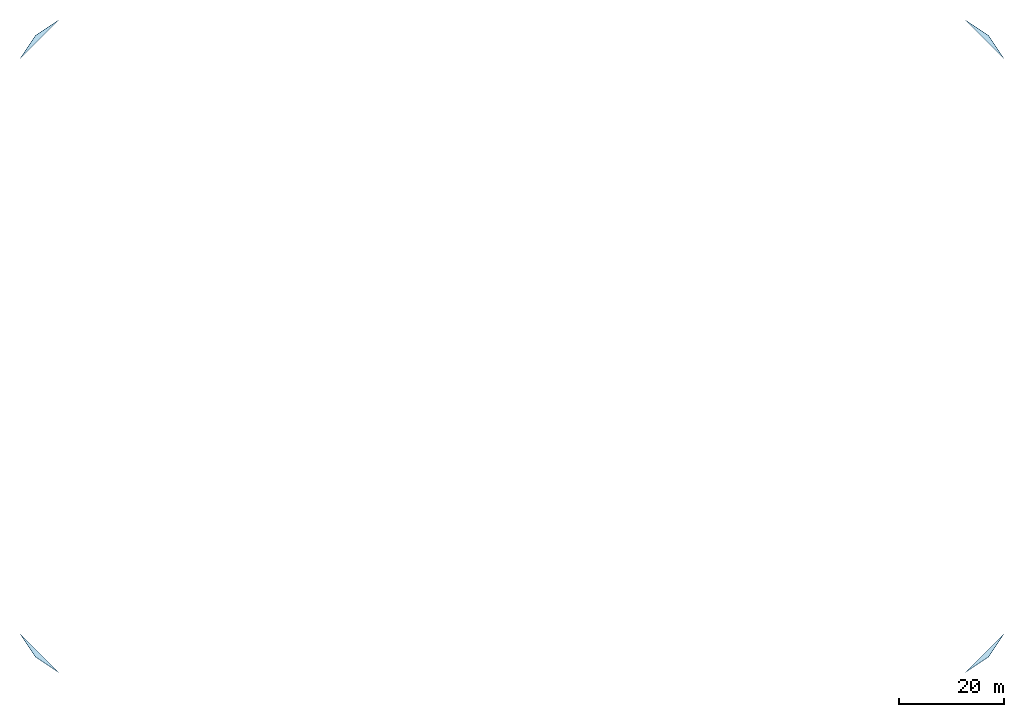
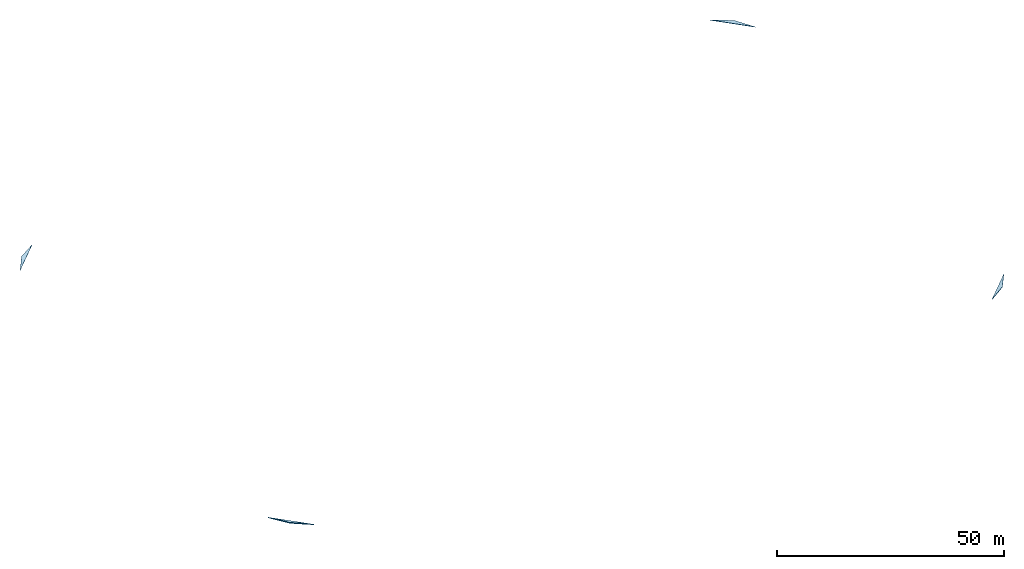
# One storey: 4 slabs.
"""IFC4 building model written with IfcOpenShell, lengths in metres."""

from ifc_helpers import new_model, si_unit, direction, frame, origin, place, context, subcontext, project, spatial, polyline, outline, extrude, material, layer, layer_set, type_object, element, save


model = new_model("IFC4")

# Units and contexts
model_context = context("Model", 3, precision=1e-05, world=origin(), true_north=direction((0.0, 1.0)))
body_context = subcontext(model_context, "Body", "Model", "MODEL_VIEW")
ifc_project = project(units=[si_unit("LENGTHUNIT", "METRE"), si_unit("AREAUNIT", "SQUARE_METRE"), si_unit("VOLUMEUNIT", "CUBIC_METRE"), si_unit("PLANEANGLEUNIT", "RADIAN"), si_unit("MASSUNIT", "GRAM", prefix="KILO")], contexts=[model_context])

# Site, building, storey
site_placement = place(None, origin())
site = spatial("IfcSite", under=ifc_project, at=site_placement, CompositionType="ELEMENT")
building_placement = place(site_placement, origin())
building = spatial("IfcBuilding", under=site, at=building_placement, Name="Opaline Strait Convention Centre", CompositionType="ELEMENT")
storey_placement = place(building_placement, frame((0.0, 0.0, 36.613037109375)))
storey = spatial("IfcBuildingStorey", under=building, at=storey_placement, Name="Roof Exhibition Block Second", CompositionType="ELEMENT", Elevation=36.613037109375)

# Slabs
ifc_material = material(Name="Steel Q235-B insulated roof panel", Category="steel")
ifc_layer = layer(ifc_material, 0.1201171875)
ifc_layer_set = layer_set([ifc_layer], Name="Steel Q235-B insulated roof panel")
slab_type = type_object("IfcSlabType", Name="Insulated roof panel 120 steel Q235B facings", PredefinedType="ROOF", material=ifc_layer_set)
slab_1_placement = place(storey_placement, frame((89.4541015625, 44.4541015625, 0.269287109375), z_axis=(0.102403577111, 0.102403577111, 0.989457939879), x_axis=(0.831119296618, -0.555361336114, -0.028539466342)))
element("IfcSlab", 1, at=slab_1_placement, inside=storey, type_object=slab_type, Name="EXB-RF-D-0-0b", PredefinedType="ROOF", context=body_context, shape_type="SweptSolid", body=[
    extrude(outline(polyline([(0.0, 0.0), (5.269566823557911, 1.6306400674181987e-16), (-4.8602719008408, 2.036195363377384), (0.0, 0.0)])), origin(), (0.0, 0.0, -1.0), 0.1201171875),
])
slab_2_placement = place(storey_placement, frame((266.166259765625, 41.527587890625, 0.118896484375), z_axis=(-0.102403577111, 0.102403577111, 0.989457939879), x_axis=(0.831119296618, 0.555361336114, 0.028539466342)))
element("IfcSlab", 2, at=slab_2_placement, inside=storey, type_object=slab_type, Name="EXB-RF-D-20-0a", PredefinedType="ROOF", context=body_context, shape_type="SweptSolid", body=[
    extrude(outline(polyline([(0.0, 0.0), (5.269566823557911, -1.6306400674181987e-16), (10.129838724398711, 2.036195363377384), (0.0, 0.0)])), origin(), (0.0, 0.0, -1.0), 0.1201171875),
])
slab_3_placement = place(storey_placement, frame((86.527587890625, 158.166259765625, 0.118896484375), z_axis=(0.102403577111, -0.102403577111, 0.989457939879), x_axis=(0.707106781187, 0.707106781187, 0.0)))
element("IfcSlab", 3, at=slab_3_placement, inside=storey, type_object=slab_type, Name="EXB-RF-D-0-13b", PredefinedType="ROOF", context=body_context, shape_type="SweptSolid", body=[
    extrude(outline(polyline([(0.0, 0.0), (10.332459733295225, 0.0), (5.166229866647613, 1.0384620709974874), (0.0, 0.0)])), origin(), (0.0, 0.0, -1.0), 0.1201171875),
])
slab_4_placement = place(storey_placement, frame((273.472412109375, 158.166259765625, 0.118896484375), z_axis=(-0.102403577111, -0.102403577111, 0.989457939879), x_axis=(-0.555361336114, 0.831119296618, 0.028539466342)))
element("IfcSlab", 4, at=slab_4_placement, inside=storey, type_object=slab_type, Name="EXB-RF-D-20-13a", PredefinedType="ROOF", context=body_context, shape_type="SweptSolid", body=[
    extrude(outline(polyline([(0.0, 0.0), (5.269566823557911, -1.6306400674181987e-16), (10.129838724398711, 2.036195363377384), (0.0, 0.0)])), origin(), (0.0, 0.0, -1.0), 0.1201171875),
])

save(model, "model.ifc")
